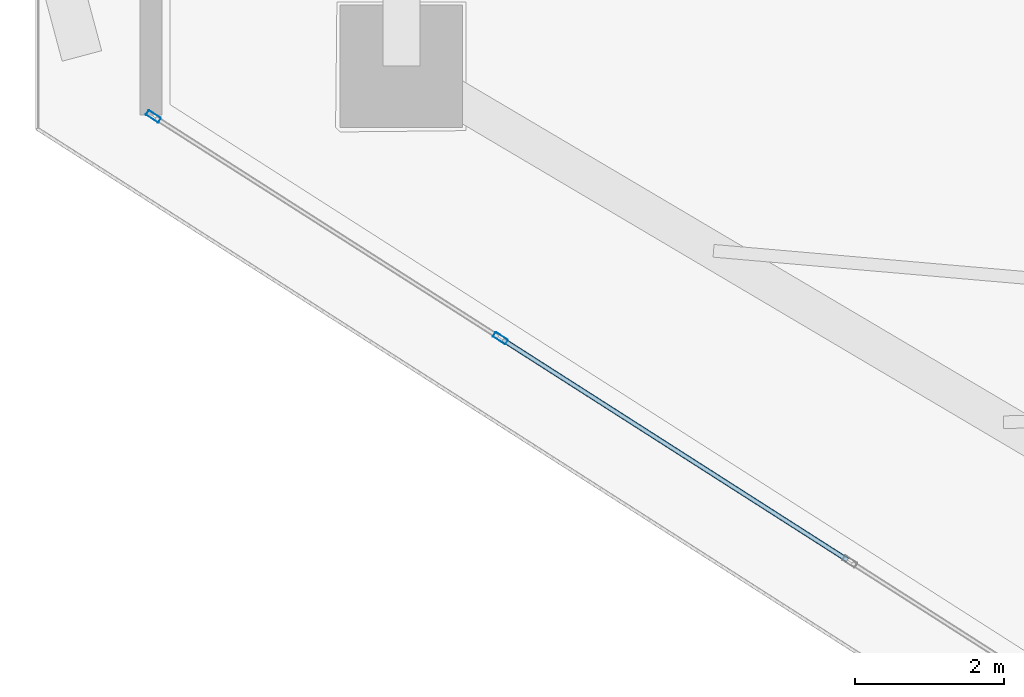
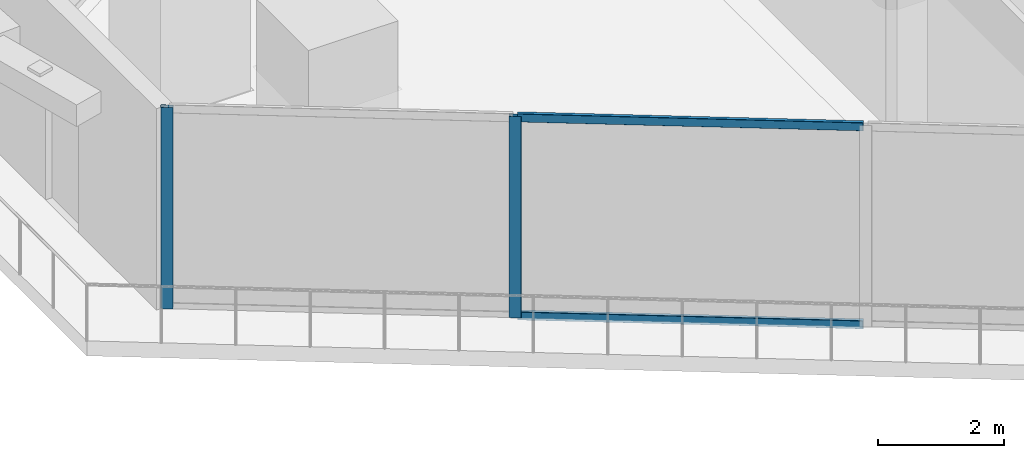
# One storey, part 6 of 34: 4 members, 1 element without a shape of its own.
"""IFC4 building model written with IfcOpenShell, lengths in metres."""

from ifc_helpers import new_model, si_unit, direction, frame, origin, origin_2d, place, context, subcontext, project, spatial, hollow_rectangle, extrude, material, layer, layer_set, material_profile, profile_set, type_object, element, aggregate, save


model = new_model("IFC4")

# Units and contexts
model_context = context("Model", 3, precision=1e-05, world=origin(), true_north=direction((0.0, 1.0)))
body_context = subcontext(model_context, "Body", "Model", "MODEL_VIEW")
ifc_project = project(units=[si_unit("LENGTHUNIT", "METRE"), si_unit("AREAUNIT", "SQUARE_METRE"), si_unit("VOLUMEUNIT", "CUBIC_METRE"), si_unit("PLANEANGLEUNIT", "RADIAN"), si_unit("MASSUNIT", "GRAM", prefix="KILO")], contexts=[model_context])

# Site, building, storey
site_placement = place(None, origin())
site = spatial("IfcSite", under=ifc_project, at=site_placement, CompositionType="ELEMENT")
building_placement = place(site_placement, origin())
building = spatial("IfcBuilding", under=site, at=building_placement, Name="Qorvath Tower", CompositionType="ELEMENT")
storey_placement = place(building_placement, frame((0.0, 0.0, 268.199951171875)))
storey = spatial("IfcBuildingStorey", under=building, at=storey_placement, Name="L62", CompositionType="ELEMENT", Elevation=268.199951171875)

# Curtain wall, members
ifc_material_1 = material(Name="Anodised aluminium and triple low-E glass", Category="aluminium")
ifc_layer = layer(ifc_material_1, 0.179931640625)
ifc_layer_set = layer_set([ifc_layer], Name="CW-SYS-4")
curtain_wall_type = type_object("IfcCurtainWallType", Name="CW-SYS-4", PredefinedType="NOTDEFINED", material=ifc_layer_set)
curtain_wall_placement = place(storey_placement, origin())
curtain_wall = element("IfcCurtainWall", 1, at=curtain_wall_placement, inside=storey, type_object=curtain_wall_type, Name="Curtain Wall CW-4 CW-T-L62-2.1", PredefinedType="NOTDEFINED")
ifc_material_2 = material(Name="Anodised aluminium 6063-T6", Category="aluminium")
ifc_material_profile_1 = material_profile(ifc_material_2, hollow_rectangle(XDim=0.074951171875, YDim=0.199951171875, WallThickness=0.00390625, InnerFilletRadius=0.00390625, OuterFilletRadius=0.008056640625, at=origin_2d()), Name="CWM 200x75")
ifc_profile_set_1 = profile_set([ifc_material_profile_1], Name="Anodised aluminium 6063-T6")
member_type_1 = type_object("IfcMemberType", Name="CWM-200", PredefinedType="MULLION", material=ifc_profile_set_1)
member_1_placement = place(storey_placement, frame((-50.87451171875, -3.026123046875, 0.0), z_axis=(0.0, 0.0, 1.0), x_axis=(0.538533509281, 0.842604094093, 0.0)))
member_1 = element("IfcMember", 2, at=member_1_placement, type_object=member_type_1, Name="CW-4 mullion 1", PredefinedType="MULLION", context=body_context, shape_type="SweptSolid", body=[
    extrude(hollow_rectangle(XDim=0.074951171875, YDim=0.199951171875, WallThickness=0.00390625, InnerFilletRadius=0.00390625, OuterFilletRadius=0.008056640625, at=origin_2d()), origin(), (0.0, 0.0, 1.0), 3.91015625),
])
member_2_placement = place(storey_placement, frame((-46.203125, -6.01171875, 0.0), z_axis=(0.0, 0.0, 1.0), x_axis=(0.538533509281, 0.842604094093, 0.0)))
member_2 = element("IfcMember", 3, at=member_2_placement, type_object=member_type_1, Name="CW-4 mullion 2", PredefinedType="MULLION", context=body_context, shape_type="SweptSolid", body=[
    extrude(hollow_rectangle(XDim=0.074951171875, YDim=0.199951171875, WallThickness=0.00390625, InnerFilletRadius=0.00390625, OuterFilletRadius=0.008056640625, at=origin_2d()), origin(), (0.0, 0.0, 1.0), 3.91015625),
])
ifc_material_3 = material(Name="Anodised aluminium 6063-T6", Category="aluminium")
ifc_material_profile_2 = material_profile(ifc_material_3, hollow_rectangle(XDim=0.06494140625, YDim=0.159912109375, WallThickness=0.00341796875, InnerFilletRadius=0.00341796875, OuterFilletRadius=0.007080078125, at=origin_2d()), Name="CWT 160x65")
ifc_profile_set_2 = profile_set([ifc_material_profile_2], Name="Anodised aluminium 6063-T6")
member_type_2 = type_object("IfcMemberType", Name="CWT-160", PredefinedType="USERDEFINED", material=ifc_profile_set_2)
member_3_placement = place(storey_placement, frame((-46.17138671875, -6.031982421875, 0.032470703125), z_axis=(0.842597346925, -0.538544065935, 0.0), x_axis=(0.538544065935, 0.842597346925, 0.0)))
member_3 = element("IfcMember", 4, at=member_3_placement, type_object=member_type_2, Name="CW-4 transom 2.1", ObjectType="TRANSOM", PredefinedType="USERDEFINED", context=body_context, shape_type="SweptSolid", body=[
    extrude(hollow_rectangle(XDim=0.06494140625, YDim=0.159912109375, WallThickness=0.00341796875, InnerFilletRadius=0.00341796875, OuterFilletRadius=0.007080078125, at=origin_2d()), origin(), (0.0, 0.0, 1.0), 5.506591796875),
])
member_4_placement = place(storey_placement, frame((-46.17138671875, -6.031982421875, 3.877685546875), z_axis=(0.842597346925, -0.538544065935, 0.0), x_axis=(0.538544065935, 0.842597346925, 0.0)))
member_4 = element("IfcMember", 5, at=member_4_placement, type_object=member_type_2, Name="CW-4 transom 2.2", ObjectType="TRANSOM", PredefinedType="USERDEFINED", context=body_context, shape_type="SweptSolid", body=[
    extrude(hollow_rectangle(XDim=0.06494140625, YDim=0.159912109375, WallThickness=0.00341796875, InnerFilletRadius=0.00341796875, OuterFilletRadius=0.007080078125, at=origin_2d()), origin(), (0.0, 0.0, 1.0), 5.506591796875),
])
aggregate(curtain_wall, [member_1, member_2, member_3, member_4])

save(model, "model.ifc")
